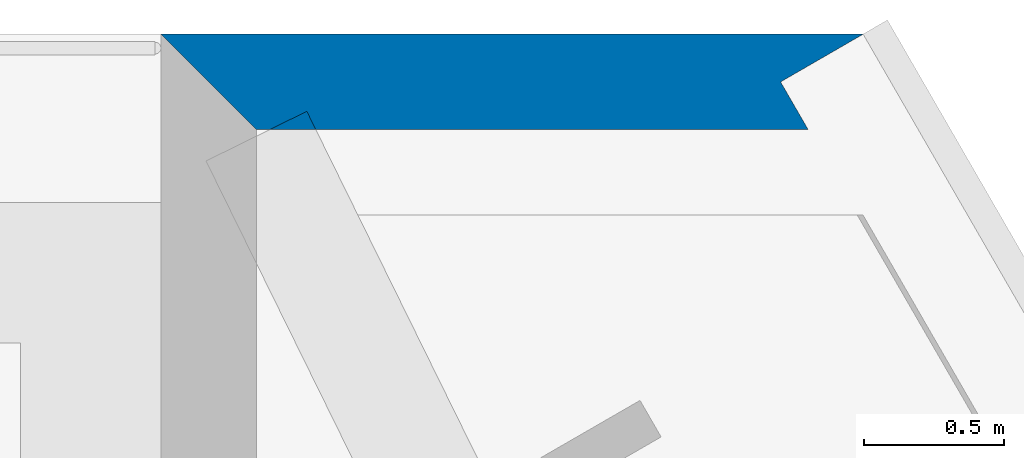
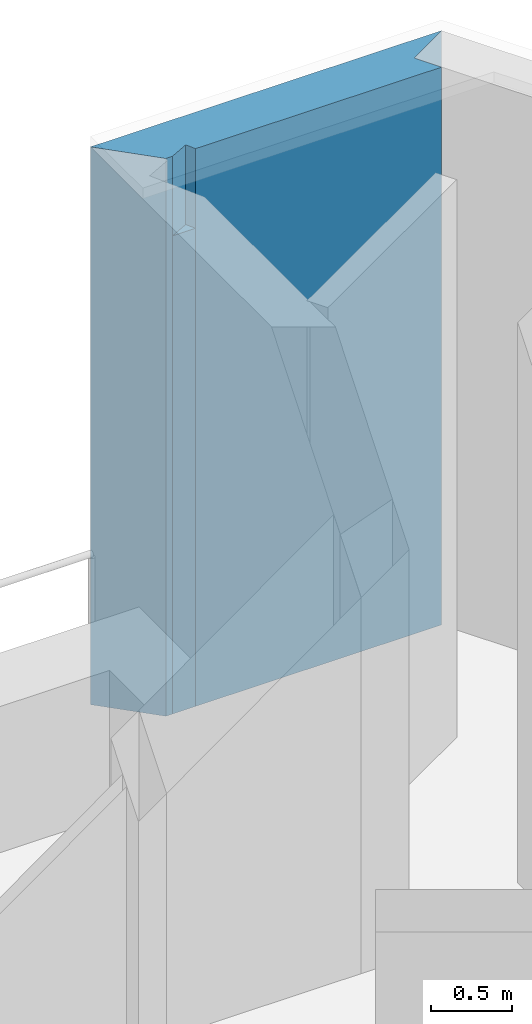
# One storey, part 12 of 14: 2 walls.
"""IFC4 building model written with IfcOpenShell, lengths in metres."""

from ifc_helpers import new_model, si_unit, direction, frame, origin, place, context, subcontext, project, spatial, polyline, outline, extrude, material, layer, layer_set, type_object, element, save


model = new_model("IFC4")

# Units and contexts
model_context = context("Model", 3, precision=1e-05, world=origin(), true_north=direction((0.0, 1.0)))
body_context = subcontext(model_context, "Body", "Model", "MODEL_VIEW")
ifc_project = project(units=[si_unit("LENGTHUNIT", "METRE"), si_unit("AREAUNIT", "SQUARE_METRE"), si_unit("VOLUMEUNIT", "CUBIC_METRE"), si_unit("PLANEANGLEUNIT", "RADIAN"), si_unit("MASSUNIT", "GRAM", prefix="KILO")], contexts=[model_context])

# Site, building, storey
site_placement = place(None, origin())
site = spatial("IfcSite", under=ifc_project, at=site_placement, CompositionType="ELEMENT")
building_placement = place(site_placement, origin())
building = spatial("IfcBuilding", under=site, at=building_placement, Name="Fogline Exchange Tower", CompositionType="ELEMENT")
storey_placement = place(building_placement, frame((0.0, 0.0, 34.0)))
storey = spatial("IfcBuildingStorey", under=building, at=storey_placement, Name="L06", CompositionType="ELEMENT", Elevation=34.0)

# Walls
ifc_material = material(Name="Brick masonry", Category="masonry")
ifc_layer = layer(ifc_material, 0.340087890625)
ifc_layer_set = layer_set([ifc_layer], Name="FW1")
wall_type = type_object("IfcWallType", Name="FW1", PredefinedType="SOLIDWALL", material=ifc_layer_set)
wall_1_placement = place(storey_placement, origin())
element("IfcWall", 1, at=wall_1_placement, inside=storey, type_object=wall_type, Name="Brick wall L06 N-c1", PredefinedType="SOLIDWALL", context=body_context, shape_type="SweptSolid", body=[
    extrude(outline(polyline([(2.386474609375, 55.951171875), (2.51953125, 56.0166015625), (2.5517578125, 55.951171875), (2.386474609375, 55.951171875)])), origin(), (0.0, 0.0, 1.0), 3.60009765625),
])
wall_2_placement = place(storey_placement, origin())
element("IfcWall", 2, at=wall_2_placement, inside=storey, type_object=wall_type, Name="Brick wall L06 N-c1", PredefinedType="SOLIDWALL", context=body_context, shape_type="SweptSolid", body=[
    extrude(outline(polyline([(4.5009765625, 56.292236328125), (4.501220703125, 56.291748046875), (4.206298828125, 56.121337890625), (4.3046875, 55.951171875), (2.5517578125, 55.951171875), (2.51953125, 56.0166015625), (2.386474609375, 55.951171875), (2.33984375, 55.951171875), (1.998779296875, 56.2919921875), (1.9990234375, 56.292236328125), (4.5009765625, 56.292236328125)])), origin(), (0.0, 0.0, 1.0), 4.199951171875),
])

save(model, "model.ifc")
